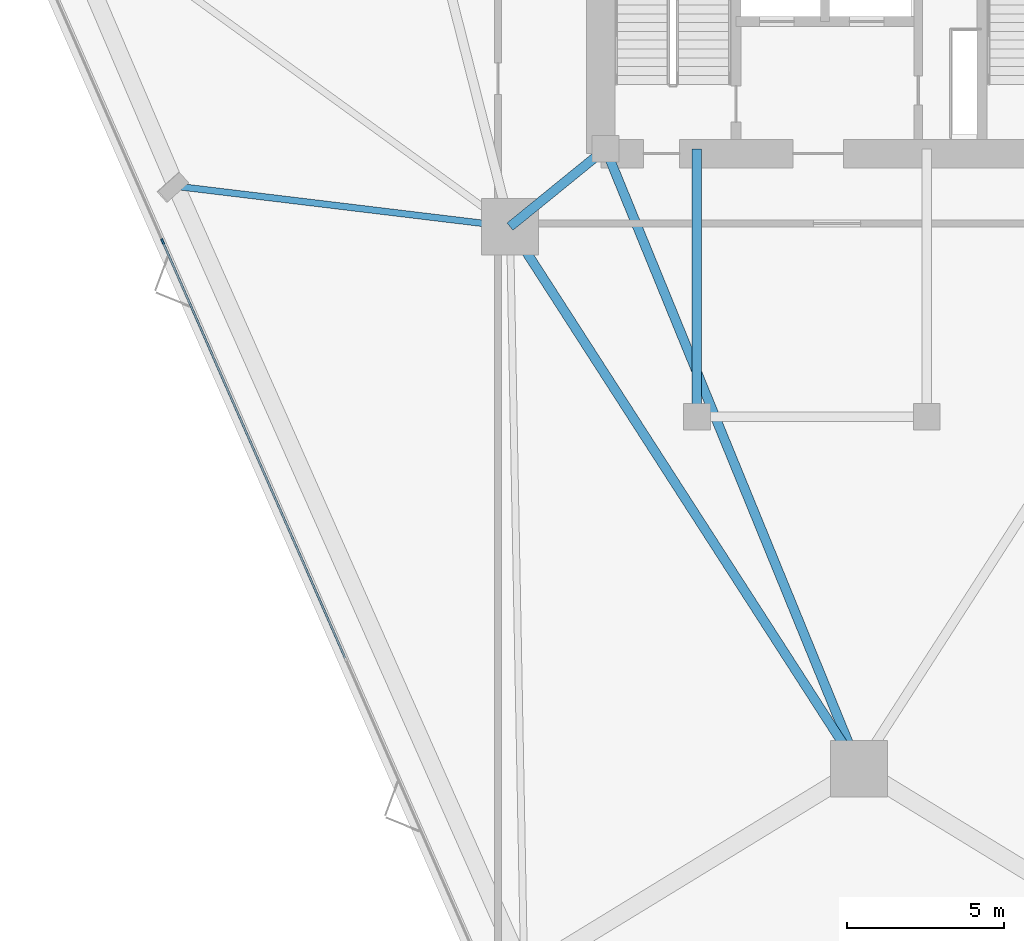
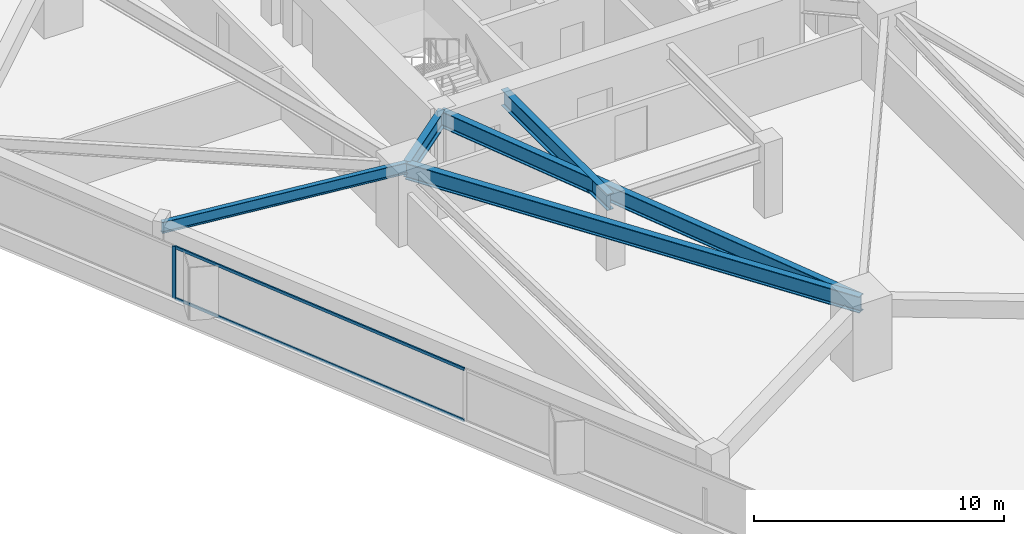
# One storey, part 6 of 20: 5 beams, 3 members, 1 element without a shape of its own.
"""IFC4 building model written with IfcOpenShell, lengths in metres."""

import ifcopenshell
import ifcopenshell.guid

model = None  # the IFC model being written
_history = None  # IfcOwnerHistory: only IFC2X3 demands one
_inside = {}  # id of a spatial element -> (the spatial element, [elements in it])
_under = {}  # id of a project, library or spatial element -> (it, [spatial elements below it])
_declared = {}  # id of a project -> (the project, [libraries it declares])
_typed = {}  # id of a type object -> (the type object, [elements of that type])
_made_of = {}  # id of a material, layer set ... -> (it, [elements and type objects made of it])


def new_model(schema):
    """Start an empty IFC model of exactly this schema.

    Asked for "IFC4X3", IfcOpenShell would pick the latest addendum, in which some entities
    have other attributes; the version numbers below select the first issue.
    IFC2X3 requires an IfcOwnerHistory on every rooted entity: one is made here for all.
    """
    global model, _history
    if schema == "IFC4X3":
        model = ifcopenshell.file(schema_version=(4, 3, 0, 0))
    else:
        model = ifcopenshell.file(schema=schema)
    _inside.clear()
    _under.clear()
    _declared.clear()
    _typed.clear()
    _made_of.clear()
    _history = None
    if model.schema == "IFC2X3":
        org = make("IfcOrganization", Name="unknown")
        user = make(
            "IfcPersonAndOrganization",
            ThePerson=make("IfcPerson", FamilyName="unknown"),
            TheOrganization=org,
        )
        app = make(
            "IfcApplication",
            ApplicationDeveloper=org,
            Version="unknown",
            ApplicationFullName="unknown",
            ApplicationIdentifier="unknown",
        )
        _history = make(
            "IfcOwnerHistory",
            OwningUser=user,
            OwningApplication=app,
            ChangeAction="ADDED",
            CreationDate=0,
        )
    return model


def make(cls, **values):
    """One entity of the class cls with the attributes given. An attribute that is None is left unset."""
    return model.create_entity(
        cls, **{name: value for name, value in values.items() if value is not None}
    )


def rooted(cls, **values):
    """An entity with a GlobalId (a new one), such as an element, a storey or a relation."""
    return make(cls, GlobalId=ifcopenshell.guid.new(), OwnerHistory=_history, **values)


def si_unit(unit_type, name, prefix=None):
    """IfcSIUnit, for example si_unit("LENGTHUNIT", "METRE", prefix="MILLI")."""
    return make("IfcSIUnit", UnitType=unit_type, Prefix=prefix, Name=name)


def assignment(units):
    """IfcUnitAssignment: the units of a project."""
    return None if units is None else make("IfcUnitAssignment", Units=units)


def point(xyz):
    """IfcCartesianPoint."""
    return None if xyz is None else make("IfcCartesianPoint", Coordinates=xyz)


def direction(xyz):
    """IfcDirection."""
    return None if xyz is None else make("IfcDirection", DirectionRatios=xyz)


def frame(location, z_axis=None, x_axis=None):
    """IfcAxis2Placement3D, a coordinate frame: its origin and axes. An axis left out is left unset."""
    return make(
        "IfcAxis2Placement3D",
        Location=point(location),
        Axis=direction(z_axis),
        RefDirection=direction(x_axis),
    )


def frame_2d(location, x_axis=None):
    """IfcAxis2Placement2D, a coordinate frame in the plane: its origin and x axis."""
    return make(
        "IfcAxis2Placement2D", Location=point(location), RefDirection=direction(x_axis)
    )


def origin():
    """The frame at (0, 0, 0) with its axes left unset."""
    return frame((0.0, 0.0, 0.0))


def origin_2d():
    """The frame at (0, 0) in the plane with its x axis left unset."""
    return frame_2d((0.0, 0.0))


def place(relative_to, where):
    """IfcLocalPlacement: puts the frame where relative to a parent placement (None: the world)."""
    return make(
        "IfcLocalPlacement", PlacementRelTo=relative_to, RelativePlacement=where
    )


def context(
    kind, dimensions, precision=None, world=None, true_north=None, identifier=None
):
    """IfcGeometricRepresentationContext, for example the 3D "Model" context."""
    return make(
        "IfcGeometricRepresentationContext",
        ContextIdentifier=identifier,
        ContextType=kind,
        CoordinateSpaceDimension=dimensions,
        Precision=precision,
        WorldCoordinateSystem=world,
        TrueNorth=true_north,
    )


def subcontext(parent, identifier, kind, view, scale=None):
    """IfcGeometricRepresentationSubContext, for example "Body" below "Model"."""
    return make(
        "IfcGeometricRepresentationSubContext",
        ContextIdentifier=identifier,
        ContextType=kind,
        ParentContext=parent,
        TargetScale=scale,
        TargetView=view,
    )


def project(units=None, contexts=None):
    """IfcProject with its units and contexts."""
    return rooted(
        "IfcProject",
        Name="project",
        RepresentationContexts=contexts,
        UnitsInContext=assignment(units),
    )


def spatial(cls, under=None, at=None, **own):
    """A site, building, storey or space (cls), placed at a placement, below another one or the project."""
    s = rooted(cls, ObjectPlacement=at, **own)
    if under is not None:
        _under.setdefault(under.id(), (under, []))[1].append(s)
    return s


def profile(cls, at=None, kind="AREA", **sizes):
    """A parametric profile (cls). Its sizes go by their IFC names, for example OverallWidth=200.0."""
    return make(cls, ProfileType=kind, Position=at, **sizes)


def rectangle(**sizes):
    """IfcRectangleProfileDef."""
    return profile("IfcRectangleProfileDef", **sizes)


def i_section(**sizes):
    """IfcIShapeProfileDef."""
    return profile("IfcIShapeProfileDef", **sizes)


def extrude(swept, where, along, depth):
    """IfcExtrudedAreaSolid: the profile swept, set in the frame where, extruded along a direction by depth."""
    return make(
        "IfcExtrudedAreaSolid",
        SweptArea=swept,
        Position=where,
        ExtrudedDirection=direction(along),
        Depth=depth,
    )


def shape(context_of_items, identifier, shape_type, items):
    """IfcShapeRepresentation: the items that make up one representation, for example the "Body"."""
    return make(
        "IfcShapeRepresentation",
        ContextOfItems=context_of_items,
        RepresentationIdentifier=identifier,
        RepresentationType=shape_type,
        Items=items,
    )


def material(Name=None, Category=None):
    """IfcMaterial."""
    return make("IfcMaterial", Name=Name, Category=Category)


def layer(
    of_material, thickness, ventilated=None, Name=None, Category=None, Priority=None
):
    """IfcMaterialLayer: one layer of a wall or slab, of a material (None: an air gap)."""
    return make(
        "IfcMaterialLayer",
        Material=of_material,
        LayerThickness=thickness,
        IsVentilated=ventilated,
        Name=Name,
        Category=Category,
        Priority=Priority,
    )


def layer_set(layers, Name=None):
    """IfcMaterialLayerSet."""
    return make("IfcMaterialLayerSet", MaterialLayers=layers, LayerSetName=Name)


def material_profile(
    of_material, cross_section, Name=None, Category=None, Priority=None
):
    """IfcMaterialProfile: a cross section and its material."""
    return make(
        "IfcMaterialProfile",
        Name=Name,
        Material=of_material,
        Profile=cross_section,
        Priority=Priority,
        Category=Category,
    )


def profile_set(profiles, Name=None, composite=None):
    """IfcMaterialProfileSet."""
    return make(
        "IfcMaterialProfileSet",
        Name=Name,
        MaterialProfiles=profiles,
        CompositeProfile=composite,
    )


def made_of(thing, what):
    """Note that an element or type object is made of a material, layer set ...; save() writes the relation."""
    if what is not None:
        _made_of.setdefault(what.id(), (what, []))[1].append(thing)
    return thing


def type_object(cls, material=None, **own):
    """A type object (cls), such as IfcWallType, which elements share."""
    return made_of(rooted(cls, **own), material)


def element(
    cls,
    number,
    at=None,
    inside=None,
    cuts=None,
    type_object=None,
    material=None,
    context=None,
    identifier="Body",
    shape_type=None,
    held_by="IfcProductDefinitionShape",
    body=None,
    shapes=None,
    **own,
):
    """One element of the class cls, such as IfcWall. Its Tag is "e" and its number.

    at: its placement. inside: the storey or other place that contains it. cuts: it is an
    opening in that element (IfcRelVoidsElement). A single representation is given by context,
    identifier, shape_type and body (its items); several are given by shapes. held_by: the class
    of the entity that holds the representations. save() writes the other relations.
    """
    e = rooted(cls, Tag="e%d" % number, ObjectPlacement=at, **own)
    if body is not None:
        shapes = [shape(context, identifier, shape_type, body)]
    if shapes is not None:
        e.Representation = make(held_by, Representations=shapes)
    if inside is not None:
        _inside.setdefault(inside.id(), (inside, []))[1].append(e)
    if cuts is not None:
        rooted(
            "IfcRelVoidsElement", RelatingBuildingElement=cuts, RelatedOpeningElement=e
        )
    if type_object is not None:
        _typed.setdefault(type_object.id(), (type_object, []))[1].append(e)
    return made_of(e, material)


def aggregate(whole, parts):
    """IfcRelAggregates: a whole, such as a stair, and the parts it consists of."""
    return rooted("IfcRelAggregates", RelatingObject=whole, RelatedObjects=parts)


def save(model, path):
    """Write the relations noted so far, then the file.

    IfcRelAggregates (storeys below a building ...), IfcRelContainedInSpatialStructure (elements
    in a storey), IfcRelDefinesByType, IfcRelAssociatesMaterial and IfcRelDeclares: one each for
    every whole, place, type object, material and project.
    """
    for whole, parts in _under.values():
        aggregate(whole, parts)
    for where, things in _inside.values():
        rooted(
            "IfcRelContainedInSpatialStructure",
            RelatedElements=things,
            RelatingStructure=where,
        )
    for kind, things in _typed.values():
        rooted("IfcRelDefinesByType", RelatedObjects=things, RelatingType=kind)
    for what, things in _made_of.values():
        rooted("IfcRelAssociatesMaterial", RelatedObjects=things, RelatingMaterial=what)
    for by, libraries in _declared.values():
        rooted("IfcRelDeclares", RelatingContext=by, RelatedDefinitions=libraries)
    model.write(path)


model = new_model("IFC4")

# Units and contexts
model_context = context("Model", 3, precision=1e-05, world=origin(), true_north=direction((0.0, 1.0)))
body_context = subcontext(model_context, "Body", "Model", "MODEL_VIEW")
ifc_project = project(units=[si_unit("LENGTHUNIT", "METRE"), si_unit("AREAUNIT", "SQUARE_METRE"), si_unit("VOLUMEUNIT", "CUBIC_METRE"), si_unit("PLANEANGLEUNIT", "RADIAN"), si_unit("MASSUNIT", "GRAM", prefix="KILO")], contexts=[model_context])

# Site, building, storey
site_placement = place(None, origin())
site = spatial("IfcSite", under=ifc_project, at=site_placement, CompositionType="ELEMENT")
building_placement = place(site_placement, origin())
building = spatial("IfcBuilding", under=site, at=building_placement, Name="Talyreon Biosciences Tower", CompositionType="ELEMENT")
storey_placement = place(building_placement, frame((0.0, 0.0, 37.39990234375)))
storey = spatial("IfcBuildingStorey", under=building, at=storey_placement, Name="L09", CompositionType="ELEMENT", Elevation=37.39990234375)

# Curtain wall, members
ifc_material_1 = material(Name="Thermally broken aluminium and low-E glazing", Category="aluminium")
ifc_layer = layer(ifc_material_1, 0.195068359375)
ifc_layer_set = layer_set([ifc_layer], Name="Thermally broken aluminium and low-E glazing")
curtain_wall_type = type_object("IfcCurtainWallType", Name="CurtainWall_Zone1WetLab", PredefinedType="NOTDEFINED", material=ifc_layer_set)
curtain_wall_placement = place(storey_placement, origin())
curtain_wall = element("IfcCurtainWall", 1, at=curtain_wall_placement, inside=storey, type_object=curtain_wall_type, Name="L09 Unitised Curtain Wall FCW-L09-00", PredefinedType="NOTDEFINED")
ifc_material_2 = material(Name="Anodised thermally broken aluminium", Category="aluminium")
ifc_material_profile_1 = material_profile(ifc_material_2, rectangle(XDim=0.06494140625, YDim=0.179931640625, at=origin_2d()), Name="ALUM MULLION 65x180")
ifc_profile_set_1 = profile_set([ifc_material_profile_1], Name="Anodised thermally broken aluminium")
member_type_1 = type_object("IfcMemberType", Name="CWMullion_65x180", PredefinedType="MULLION", material=ifc_profile_set_1)
member_1_placement = place(storey_placement, frame((43.882568359375, 58.40869140625, 0.81005859375), z_axis=(0.0, 0.0, 1.0), x_axis=(-0.915980408101, -0.401222995321, 0.0)))
member_1 = element("IfcMember", 2, at=member_1_placement, type_object=member_type_1, Name="CW2 mullion 4", PredefinedType="MULLION", context=body_context, shape_type="SweptSolid", body=[
    extrude(rectangle(XDim=0.06494140625, YDim=0.179931640625, at=origin_2d()), origin(), (0.0, 0.0, 1.0), 2.56494140625),
])
ifc_material_profile_2 = material_profile(ifc_material_2, rectangle(XDim=0.06494140625, YDim=0.139892578125, at=origin_2d()), Name="ALUM TRANSOM 65x140")
ifc_profile_set_2 = profile_set([ifc_material_profile_2], Name="Anodised thermally broken aluminium")
member_type_2 = type_object("IfcMemberType", Name="CWTransom_65x140", PredefinedType="USERDEFINED", material=ifc_profile_set_2)
member_2_placement = place(storey_placement, frame((49.6787109375, 45.176025390625, 0.842529296875), z_axis=(-0.401223081321, 0.915980370431, 0.0), x_axis=(-0.915980370431, -0.401223081321, 0.0)))
member_2 = element("IfcMember", 3, at=member_2_placement, type_object=member_type_2, Name="CW2 transom 3.1", ObjectType="TRANSOM", PredefinedType="USERDEFINED", context=body_context, shape_type="SweptSolid", body=[
    extrude(rectangle(XDim=0.06494140625, YDim=0.139892578125, at=origin_2d()), origin(), (0.0, 0.0, 1.0), 14.413818359375),
])
member_3_placement = place(storey_placement, frame((49.6787109375, 45.176025390625, 3.342529296875), z_axis=(-0.401223081321, 0.915980370431, 0.0), x_axis=(-0.915980370431, -0.401223081321, 0.0)))
member_3 = element("IfcMember", 4, at=member_3_placement, type_object=member_type_2, Name="CW2 transom 3.2", ObjectType="TRANSOM", PredefinedType="USERDEFINED", context=body_context, shape_type="SweptSolid", body=[
    extrude(rectangle(XDim=0.06494140625, YDim=0.139892578125, at=origin_2d()), origin(), (0.0, 0.0, 1.0), 14.413818359375),
])
aggregate(curtain_wall, [member_1, member_2, member_3])

# Beams
ifc_material_3 = material(Name="Steel SM355", Category="steel")
ifc_material_profile_3 = material_profile(ifc_material_3, i_section(OverallWidth=0.300048828125, OverallDepth=0.800048828125, WebThickness=0.017578125, FlangeThickness=0.032958984375, FilletRadius=0.030029296875, at=origin_2d()), Name="HE800B")
ifc_profile_set_3 = profile_set([ifc_material_profile_3], Name="Steel SM355")
beam_type_1 = type_object("IfcBeamType", Name="SteelGirder_HE800B", PredefinedType="BEAM", material=ifc_profile_set_3)
beam_1_placement = place(storey_placement, frame((54.913818359375, 58.88037109375, 2.97509765625), z_axis=(0.541463723609, -0.840724114092, 0.0), x_axis=(0.840724114092, 0.541463723609, 0.0)))
element("IfcBeam", 5, at=beam_1_placement, inside=storey, type_object=beam_type_1, Name="L09 Mega-Ring Girder 6", PredefinedType="BEAM", context=body_context, shape_type="SweptSolid", body=[
    extrude(i_section(OverallWidth=0.300048828125, OverallDepth=0.800048828125, WebThickness=0.017578125, FlangeThickness=0.032958984375, FilletRadius=0.030029296875, at=origin_2d()), origin(), (0.0, 0.0, 1.0), 20.474365234375),
])
beam_2_placement = place(storey_placement, frame((57.949951171875, 61.35009765625, 2.97509765625), z_axis=(0.378547014545, -0.925582064314, 0.0), x_axis=(0.925582064314, 0.378547014545, 0.0)))
element("IfcBeam", 6, at=beam_2_placement, inside=storey, type_object=beam_type_1, Name="L09 Radial Primary Girder 1", PredefinedType="BEAM", context=body_context, shape_type="SweptSolid", body=[
    extrude(i_section(OverallWidth=0.300048828125, OverallDepth=0.800048828125, WebThickness=0.017578125, FlangeThickness=0.032958984375, FilletRadius=0.030029296875, at=origin_2d()), origin(), (0.0, 0.0, 1.0), 21.265625),
])
beam_3_placement = place(storey_placement, frame((57.949951171875, 61.35009765625, 2.97509765625), z_axis=(-0.775755154013, -0.631034025249, 0.0), x_axis=(0.631034025249, -0.775755154013, 0.0)))
element("IfcBeam", 7, at=beam_3_placement, inside=storey, type_object=beam_type_1, Name="L09 Radial Primary Girder 6", PredefinedType="BEAM", context=body_context, shape_type="SweptSolid", body=[
    extrude(i_section(OverallWidth=0.300048828125, OverallDepth=0.800048828125, WebThickness=0.017578125, FlangeThickness=0.032958984375, FilletRadius=0.030029296875, at=origin_2d()), origin(), (0.0, 0.0, 1.0), 3.913818359375),
])
beam_4_placement = place(storey_placement, frame((60.85009765625, 52.840087890625, 2.97509765625), z_axis=(0.0, 1.0, 0.0), x_axis=(-1.0, 0.0, 0.0)))
element("IfcBeam", 8, at=beam_4_placement, inside=storey, type_object=beam_type_1, Name="L09 Crown Shaft Tie Girder W", PredefinedType="BEAM", context=body_context, shape_type="SweptSolid", body=[
    extrude(i_section(OverallWidth=0.300048828125, OverallDepth=0.800048828125, WebThickness=0.017578125, FlangeThickness=0.032958984375, FilletRadius=0.030029296875, at=origin_2d()), origin(), (0.0, 0.0, 1.0), 8.510009765625),
])
ifc_material_profile_4 = material_profile(ifc_material_3, i_section(OverallWidth=0.2099609375, OverallDepth=0.550048828125, WebThickness=0.010986328125, FlangeThickness=0.01708984375, FilletRadius=0.02392578125, at=origin_2d()), Name="IPE550")
ifc_profile_set_4 = profile_set([ifc_material_profile_4], Name="Steel SM355")
beam_type_2 = type_object("IfcBeamType", Name="SteelJoist_IPE550", PredefinedType="JOIST", material=ifc_profile_set_4)
beam_5_placement = place(storey_placement, frame((54.913818359375, 58.88037109375, 3.10009765625), z_axis=(-0.992775164763, 0.119989467159, 0.0), x_axis=(-0.119989467159, -0.992775164763, 0.0)))
element("IfcBeam", 9, at=beam_5_placement, inside=storey, type_object=beam_type_2, Name="L09 Radial Composite Floor Joist PL-SW", PredefinedType="JOIST", context=body_context, shape_type="SweptSolid", body=[
    extrude(i_section(OverallWidth=0.2099609375, OverallDepth=0.550048828125, WebThickness=0.010986328125, FlangeThickness=0.01708984375, FilletRadius=0.02392578125, at=origin_2d()), origin(), (0.0, 0.0, 1.0), 10.68408203125),
])

save(model, "model.ifc")
